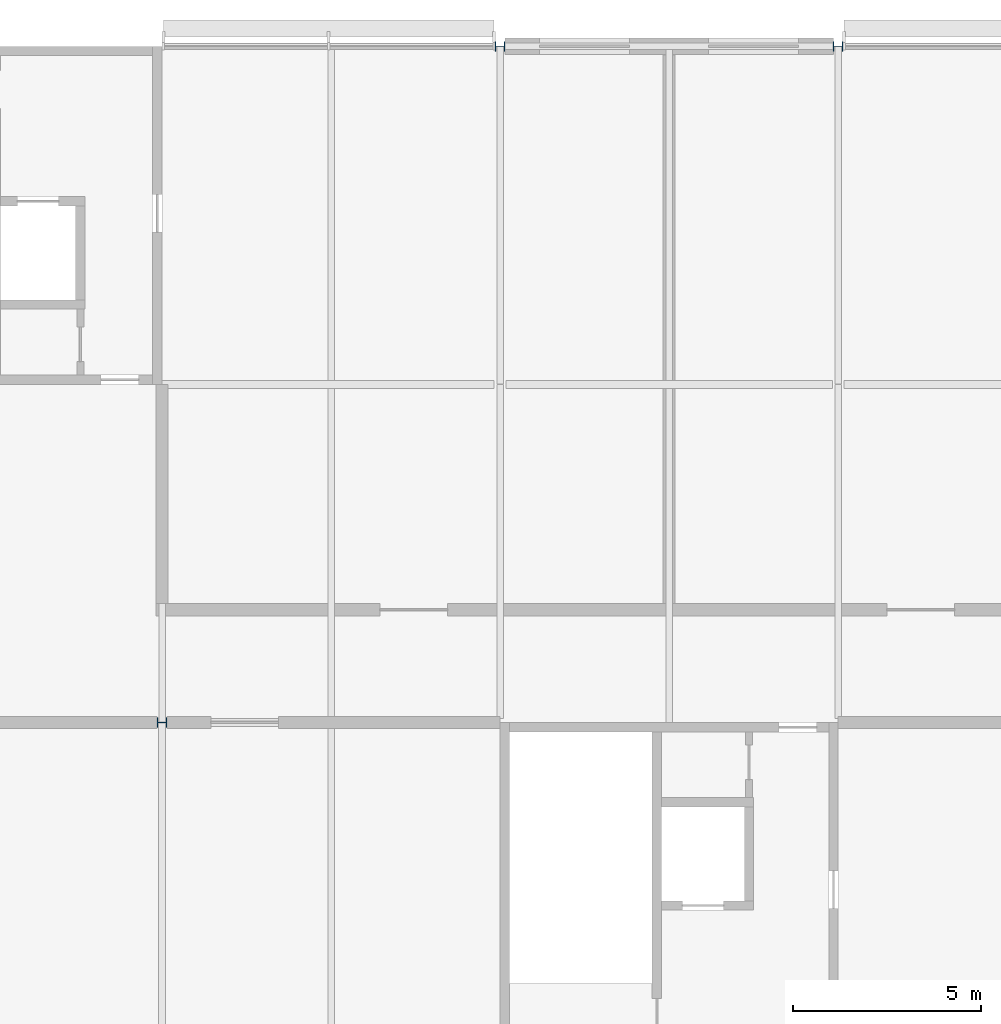
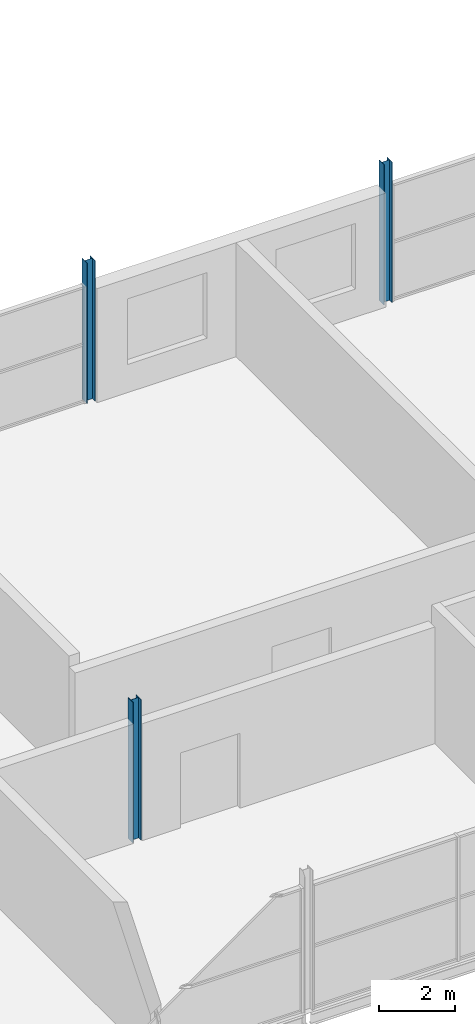
# One storey, part 19 of 138: 3 columns.
"""IFC4 building model written with IfcOpenShell, lengths in metres."""

from ifc_helpers import new_model, si_unit, direction, frame, origin, origin_2d, place, context, subcontext, project, spatial, i_section, extrude, material, material_profile, profile_set, type_object, element, save


model = new_model("IFC4")

# Units and contexts
model_context = context("Model", 3, precision=1e-05, world=origin(), true_north=direction((0.0, 1.0)))
body_context = subcontext(model_context, "Body", "Model", "MODEL_VIEW")
ifc_project = project(units=[si_unit("LENGTHUNIT", "METRE"), si_unit("AREAUNIT", "SQUARE_METRE"), si_unit("VOLUMEUNIT", "CUBIC_METRE"), si_unit("PLANEANGLEUNIT", "RADIAN"), si_unit("MASSUNIT", "GRAM", prefix="KILO")], contexts=[model_context])

# Site, building, storey
site_placement = place(None, origin())
site = spatial("IfcSite", under=ifc_project, at=site_placement, CompositionType="ELEMENT")
building_placement = place(site_placement, origin())
building = spatial("IfcBuilding", under=site, at=building_placement, Name="Corbel Yard City Hall", CompositionType="ELEMENT")
storey_placement = place(building_placement, frame((0.0, 0.0, 10.5)))
storey = spatial("IfcBuildingStorey", under=building, at=storey_placement, Name="L02", CompositionType="ELEMENT", Elevation=10.5)

# Columns
ifc_material = material(Name="Steel Grade 300 (300 MPa yield)", Category="steel")
ifc_material_profile_1 = material_profile(ifc_material, i_section(OverallWidth=0.25390625, OverallDepth=0.25390625, WebThickness=0.008544921875, FlangeThickness=0.01416015625, at=origin_2d()), Name="250UC72.9")
ifc_profile_set_1 = profile_set([ifc_material_profile_1], Name="Steel Grade 300 (300 MPa yield)")
column_type_1 = type_object("IfcColumnType", Name="Column 250UC72.9", PredefinedType="COLUMN", material=ifc_profile_set_1)
for number, where, z_axis, x_axis, name in (
    (1, (117.0, 117.0, 0.0), (0.0, 0.0, 1.0), (0.0, 1.0, 0.0), "Column 250UC72.9 N/14 L02"),
    (2, (126.0, 117.0, 0.0), (0.0, 0.0, 1.0), (0.0, 1.0, 0.0), "Column 250UC72.9 N/15 L02"),
):
    element("IfcColumn", number, at=place(storey_placement, frame(where, z_axis=z_axis, x_axis=x_axis)), inside=storey, type_object=column_type_1, Name=name, PredefinedType="COLUMN", context=body_context, shape_type="SweptSolid", body=[
        extrude(i_section(OverallWidth=0.25390625, OverallDepth=0.25390625, WebThickness=0.008544921875, FlangeThickness=0.01416015625, at=origin_2d()), origin(), (0.0, 0.0, 1.0), 4.5),
    ])
ifc_material_profile_2 = material_profile(ifc_material, i_section(OverallWidth=0.256103515625, OverallDepth=0.260009765625, WebThickness=0.010498046875, FlangeThickness=0.017333984375, at=origin_2d()), Name="250UC89.5")
ifc_profile_set_2 = profile_set([ifc_material_profile_2], Name="Steel Grade 300 (300 MPa yield)")
column_type_2 = type_object("IfcColumnType", Name="Column 250UC89.5", PredefinedType="COLUMN", material=ifc_profile_set_2)
column_placement = place(storey_placement, frame((108.0, 99.0, 0.0), z_axis=(0.0, 0.0, 1.0), x_axis=(0.0, 1.0, 0.0)))
element("IfcColumn", 3, at=column_placement, inside=storey, type_object=column_type_2, Name="Column 250UC89.5 L/13 L02", PredefinedType="COLUMN", context=body_context, shape_type="SweptSolid", body=[
    extrude(i_section(OverallWidth=0.256103515625, OverallDepth=0.260009765625, WebThickness=0.010498046875, FlangeThickness=0.017333984375, at=origin_2d()), origin(), (0.0, 0.0, 1.0), 4.5),
])

save(model, "model.ifc")
